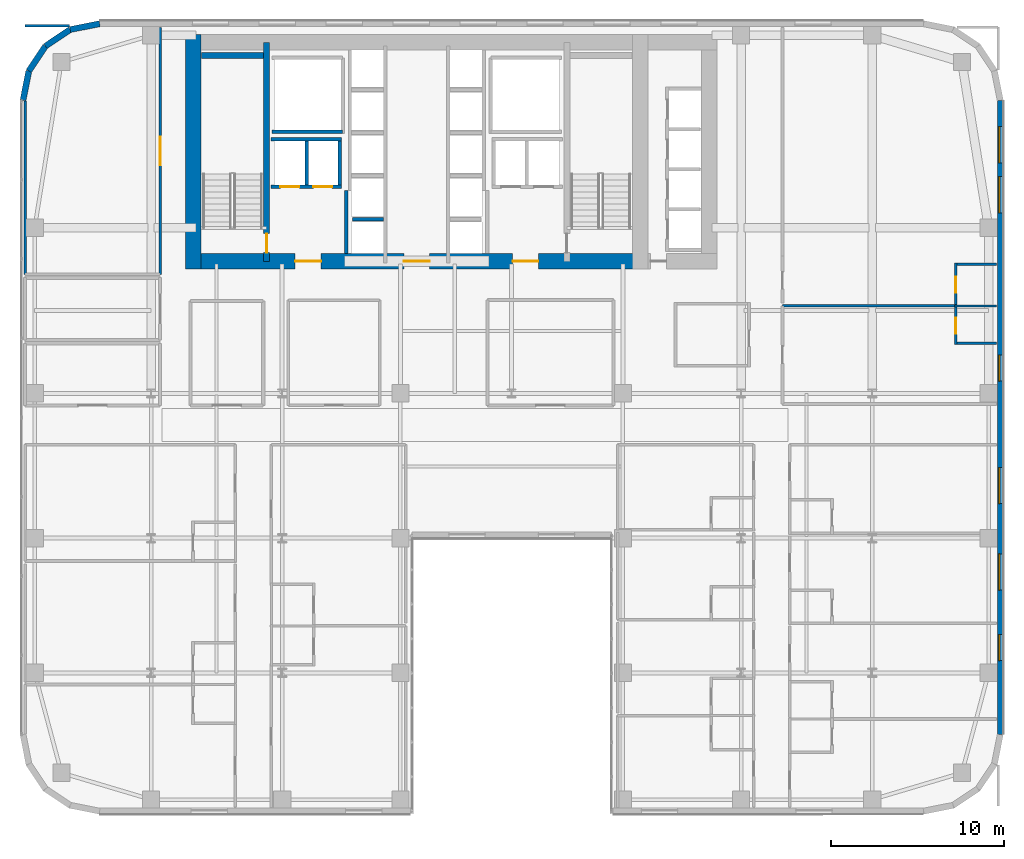
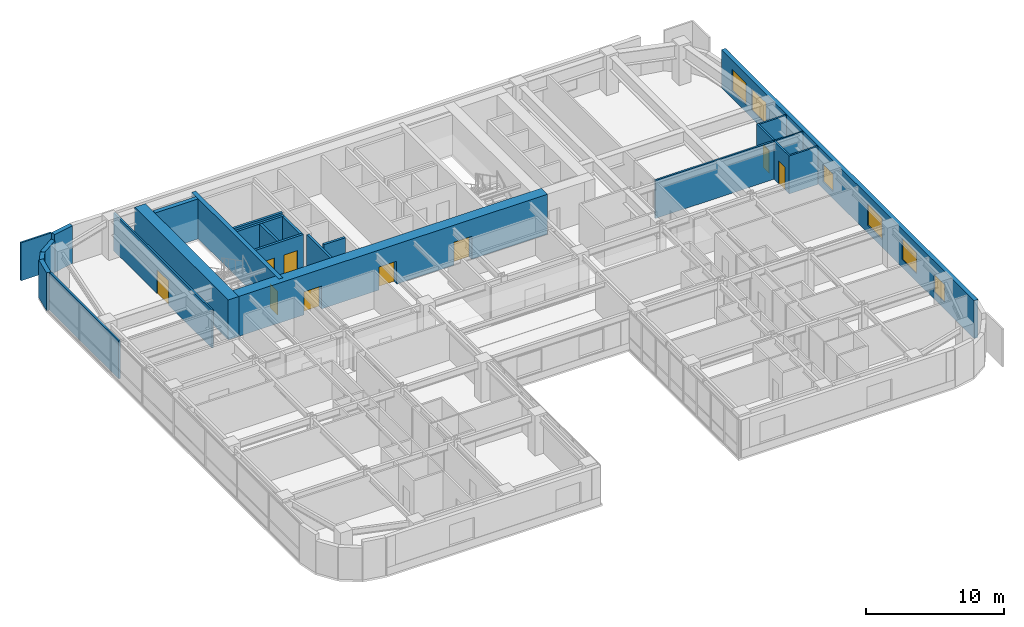
# One storey, part 30 of 37: 25 walls, 9 doors, 6 windows, 15 openings.
"""IFC4 building model written with IfcOpenShell, lengths in metres."""

import ifcopenshell
import ifcopenshell.guid

model = None  # the IFC model being written
_history = None  # IfcOwnerHistory: only IFC2X3 demands one
_inside = {}  # id of a spatial element -> (the spatial element, [elements in it])
_under = {}  # id of a project, library or spatial element -> (it, [spatial elements below it])
_declared = {}  # id of a project -> (the project, [libraries it declares])
_typed = {}  # id of a type object -> (the type object, [elements of that type])
_made_of = {}  # id of a material, layer set ... -> (it, [elements and type objects made of it])


def new_model(schema):
    """Start an empty IFC model of exactly this schema.

    Asked for "IFC4X3", IfcOpenShell would pick the latest addendum, in which some entities
    have other attributes; the version numbers below select the first issue.
    IFC2X3 requires an IfcOwnerHistory on every rooted entity: one is made here for all.
    """
    global model, _history
    if schema == "IFC4X3":
        model = ifcopenshell.file(schema_version=(4, 3, 0, 0))
    else:
        model = ifcopenshell.file(schema=schema)
    _inside.clear()
    _under.clear()
    _declared.clear()
    _typed.clear()
    _made_of.clear()
    _history = None
    if model.schema == "IFC2X3":
        org = make("IfcOrganization", Name="unknown")
        user = make(
            "IfcPersonAndOrganization",
            ThePerson=make("IfcPerson", FamilyName="unknown"),
            TheOrganization=org,
        )
        app = make(
            "IfcApplication",
            ApplicationDeveloper=org,
            Version="unknown",
            ApplicationFullName="unknown",
            ApplicationIdentifier="unknown",
        )
        _history = make(
            "IfcOwnerHistory",
            OwningUser=user,
            OwningApplication=app,
            ChangeAction="ADDED",
            CreationDate=0,
        )
    return model


def make(cls, **values):
    """One entity of the class cls with the attributes given. An attribute that is None is left unset."""
    return model.create_entity(
        cls, **{name: value for name, value in values.items() if value is not None}
    )


def rooted(cls, **values):
    """An entity with a GlobalId (a new one), such as an element, a storey or a relation."""
    return make(cls, GlobalId=ifcopenshell.guid.new(), OwnerHistory=_history, **values)


def si_unit(unit_type, name, prefix=None):
    """IfcSIUnit, for example si_unit("LENGTHUNIT", "METRE", prefix="MILLI")."""
    return make("IfcSIUnit", UnitType=unit_type, Prefix=prefix, Name=name)


def assignment(units):
    """IfcUnitAssignment: the units of a project."""
    return None if units is None else make("IfcUnitAssignment", Units=units)


def point(xyz):
    """IfcCartesianPoint."""
    return None if xyz is None else make("IfcCartesianPoint", Coordinates=xyz)


def direction(xyz):
    """IfcDirection."""
    return None if xyz is None else make("IfcDirection", DirectionRatios=xyz)


def frame(location, z_axis=None, x_axis=None):
    """IfcAxis2Placement3D, a coordinate frame: its origin and axes. An axis left out is left unset."""
    return make(
        "IfcAxis2Placement3D",
        Location=point(location),
        Axis=direction(z_axis),
        RefDirection=direction(x_axis),
    )


def frame_2d(location, x_axis=None):
    """IfcAxis2Placement2D, a coordinate frame in the plane: its origin and x axis."""
    return make(
        "IfcAxis2Placement2D", Location=point(location), RefDirection=direction(x_axis)
    )


def origin():
    """The frame at (0, 0, 0) with its axes left unset."""
    return frame((0.0, 0.0, 0.0))


def place(relative_to, where):
    """IfcLocalPlacement: puts the frame where relative to a parent placement (None: the world)."""
    return make(
        "IfcLocalPlacement", PlacementRelTo=relative_to, RelativePlacement=where
    )


def context(
    kind, dimensions, precision=None, world=None, true_north=None, identifier=None
):
    """IfcGeometricRepresentationContext, for example the 3D "Model" context."""
    return make(
        "IfcGeometricRepresentationContext",
        ContextIdentifier=identifier,
        ContextType=kind,
        CoordinateSpaceDimension=dimensions,
        Precision=precision,
        WorldCoordinateSystem=world,
        TrueNorth=true_north,
    )


def subcontext(parent, identifier, kind, view, scale=None):
    """IfcGeometricRepresentationSubContext, for example "Body" below "Model"."""
    return make(
        "IfcGeometricRepresentationSubContext",
        ContextIdentifier=identifier,
        ContextType=kind,
        ParentContext=parent,
        TargetScale=scale,
        TargetView=view,
    )


def project(units=None, contexts=None):
    """IfcProject with its units and contexts."""
    return rooted(
        "IfcProject",
        Name="project",
        RepresentationContexts=contexts,
        UnitsInContext=assignment(units),
    )


def spatial(cls, under=None, at=None, **own):
    """A site, building, storey or space (cls), placed at a placement, below another one or the project."""
    s = rooted(cls, ObjectPlacement=at, **own)
    if under is not None:
        _under.setdefault(under.id(), (under, []))[1].append(s)
    return s


def profile(cls, at=None, kind="AREA", **sizes):
    """A parametric profile (cls). Its sizes go by their IFC names, for example OverallWidth=200.0."""
    return make(cls, ProfileType=kind, Position=at, **sizes)


def rectangle(**sizes):
    """IfcRectangleProfileDef."""
    return profile("IfcRectangleProfileDef", **sizes)


def extrude(swept, where, along, depth):
    """IfcExtrudedAreaSolid: the profile swept, set in the frame where, extruded along a direction by depth."""
    return make(
        "IfcExtrudedAreaSolid",
        SweptArea=swept,
        Position=where,
        ExtrudedDirection=direction(along),
        Depth=depth,
    )


def shape(context_of_items, identifier, shape_type, items):
    """IfcShapeRepresentation: the items that make up one representation, for example the "Body"."""
    return make(
        "IfcShapeRepresentation",
        ContextOfItems=context_of_items,
        RepresentationIdentifier=identifier,
        RepresentationType=shape_type,
        Items=items,
    )


def source(mapping_origin, context_of_items, identifier, shape_type, items):
    """IfcRepresentationMap: a shape defined once, which mapped items show again and again."""
    return make(
        "IfcRepresentationMap",
        MappingOrigin=mapping_origin,
        MappedRepresentation=shape(context_of_items, identifier, shape_type, items),
    )


def transform(
    local_origin,
    x_axis=None,
    y_axis=None,
    z_axis=None,
    scale=None,
    scale2=None,
    scale3=None,
    uniform=True,
):
    """IfcCartesianTransformationOperator3D, or its non-uniform kind. x_axis, y_axis, z_axis: its Axis1, 2, 3."""
    if uniform:
        return make(
            "IfcCartesianTransformationOperator3D",
            Axis1=direction(x_axis),
            Axis2=direction(y_axis),
            LocalOrigin=point(local_origin),
            Scale=scale,
            Axis3=direction(z_axis),
        )
    return make(
        "IfcCartesianTransformationOperator3DnonUniform",
        Axis1=direction(x_axis),
        Axis2=direction(y_axis),
        LocalOrigin=point(local_origin),
        Scale=scale,
        Axis3=direction(z_axis),
        Scale2=scale2,
        Scale3=scale3,
    )


def mapped(mapping_source, mapping_target):
    """IfcMappedItem: shows the shape of a source again, moved by a transform."""
    return make(
        "IfcMappedItem", MappingSource=mapping_source, MappingTarget=mapping_target
    )


def material(Name=None, Category=None):
    """IfcMaterial."""
    return make("IfcMaterial", Name=Name, Category=Category)


def layer(
    of_material, thickness, ventilated=None, Name=None, Category=None, Priority=None
):
    """IfcMaterialLayer: one layer of a wall or slab, of a material (None: an air gap)."""
    return make(
        "IfcMaterialLayer",
        Material=of_material,
        LayerThickness=thickness,
        IsVentilated=ventilated,
        Name=Name,
        Category=Category,
        Priority=Priority,
    )


def layer_set(layers, Name=None):
    """IfcMaterialLayerSet."""
    return make("IfcMaterialLayerSet", MaterialLayers=layers, LayerSetName=Name)


def made_of(thing, what):
    """Note that an element or type object is made of a material, layer set ...; save() writes the relation."""
    if what is not None:
        _made_of.setdefault(what.id(), (what, []))[1].append(thing)
    return thing


def type_object(cls, material=None, **own):
    """A type object (cls), such as IfcWallType, which elements share."""
    return made_of(rooted(cls, **own), material)


def type_shapes(of_type, sources):
    """Give a type object the sources (RepresentationMaps) that its elements show as mapped items."""
    of_type.RepresentationMaps = sources


def element(
    cls,
    number,
    at=None,
    inside=None,
    cuts=None,
    type_object=None,
    material=None,
    context=None,
    identifier="Body",
    shape_type=None,
    held_by="IfcProductDefinitionShape",
    body=None,
    shapes=None,
    **own,
):
    """One element of the class cls, such as IfcWall. Its Tag is "e" and its number.

    at: its placement. inside: the storey or other place that contains it. cuts: it is an
    opening in that element (IfcRelVoidsElement). A single representation is given by context,
    identifier, shape_type and body (its items); several are given by shapes. held_by: the class
    of the entity that holds the representations. save() writes the other relations.
    """
    e = rooted(cls, Tag="e%d" % number, ObjectPlacement=at, **own)
    if body is not None:
        shapes = [shape(context, identifier, shape_type, body)]
    if shapes is not None:
        e.Representation = make(held_by, Representations=shapes)
    if inside is not None:
        _inside.setdefault(inside.id(), (inside, []))[1].append(e)
    if cuts is not None:
        rooted(
            "IfcRelVoidsElement", RelatingBuildingElement=cuts, RelatedOpeningElement=e
        )
    if type_object is not None:
        _typed.setdefault(type_object.id(), (type_object, []))[1].append(e)
    return made_of(e, material)


def fill(opening, filler):
    """IfcRelFillsElement: the door or window that sits in an opening."""
    return rooted(
        "IfcRelFillsElement",
        RelatingOpeningElement=opening,
        RelatedBuildingElement=filler,
    )


def aggregate(whole, parts):
    """IfcRelAggregates: a whole, such as a stair, and the parts it consists of."""
    return rooted("IfcRelAggregates", RelatingObject=whole, RelatedObjects=parts)


def save(model, path):
    """Write the relations noted so far, then the file.

    IfcRelAggregates (storeys below a building ...), IfcRelContainedInSpatialStructure (elements
    in a storey), IfcRelDefinesByType, IfcRelAssociatesMaterial and IfcRelDeclares: one each for
    every whole, place, type object, material and project.
    """
    for whole, parts in _under.values():
        aggregate(whole, parts)
    for where, things in _inside.values():
        rooted(
            "IfcRelContainedInSpatialStructure",
            RelatedElements=things,
            RelatingStructure=where,
        )
    for kind, things in _typed.values():
        rooted("IfcRelDefinesByType", RelatedObjects=things, RelatingType=kind)
    for what, things in _made_of.values():
        rooted("IfcRelAssociatesMaterial", RelatedObjects=things, RelatingMaterial=what)
    for by, libraries in _declared.values():
        rooted("IfcRelDeclares", RelatingContext=by, RelatedDefinitions=libraries)
    model.write(path)


model = new_model("IFC4")

# Units and contexts
model_context = context("Model", 3, precision=1e-05, world=origin(), true_north=direction((0.0, 1.0)))
body_context = subcontext(model_context, "Body", "Model", "MODEL_VIEW")
ifc_project = project(units=[si_unit("LENGTHUNIT", "METRE"), si_unit("AREAUNIT", "SQUARE_METRE"), si_unit("VOLUMEUNIT", "CUBIC_METRE"), si_unit("PLANEANGLEUNIT", "RADIAN"), si_unit("MASSUNIT", "GRAM", prefix="KILO")], contexts=[model_context])

# Site, building, storey
site_placement = place(None, origin())
site = spatial("IfcSite", under=ifc_project, at=site_placement, CompositionType="ELEMENT")
building_placement = place(site_placement, origin())
building = spatial("IfcBuilding", under=site, at=building_placement, Name="Tolvann Quenvar Hotel", CompositionType="ELEMENT")
storey_placement = place(building_placement, frame((0.0, 0.0, 53.300048828125)))
storey = spatial("IfcBuildingStorey", under=building, at=storey_placement, Name="L12", CompositionType="ELEMENT", Elevation=53.300048828125)

# Wall, openings, doors
ifc_material_1 = material(Name="Concrete S80 (80 MPa)", Category="concrete")
ifc_layer_1 = layer(ifc_material_1, 0.89990234375)
ifc_layer_set_1 = layer_set([ifc_layer_1], Name="Concrete S80 (80 MPa)")
wall_type_1 = type_object("IfcWallType", Name="WALL_CORE_900", PredefinedType="SHEAR", material=ifc_layer_set_1)
wall_1_placement = place(storey_placement, frame((9.60009765625, 32.050048828125, 0.0), z_axis=(0.0, 0.0, 1.0), x_axis=(1.0, 0.0, 0.0)))
wall_1 = element("IfcWall", 1, at=wall_1_placement, inside=storey, type_object=wall_type_1, Name="Rear Core S Shear Wall (L12)", PredefinedType="SHEAR", context=body_context, shape_type="SweptSolid", body=[
    extrude(rectangle(XDim=26.7998046875, YDim=0.89990234375, at=frame_2d((13.39990234375, 0.0))), origin(), (0.0, 0.0, 1.0), 3.550048828125),
])
opening_1_placement = place(wall_1_placement, frame((7.85009765625, 0.0, 0.0), z_axis=(0.0, 0.0, 1.0), x_axis=(-1.0, 0.0, 0.0)))
opening_1 = element("IfcOpeningElement", 2, at=opening_1_placement, cuts=wall_1, Name="Opening FD-60D", PredefinedType="OPENING", context=body_context, shape_type="SweptSolid", body=[
    extrude(rectangle(XDim=1.5, YDim=2.0400390625, at=frame_2d((0.75, 1.02001953125))), frame((0.0, 0.4599609375, 0.0), z_axis=(0.0, -1.0, 0.0), x_axis=(1.0, 0.0, 0.0)), (0.0, 0.0, 1.0), 0.919921875),
])
opening_2_placement = place(wall_1_placement, frame((14.14990234375, 0.0, 0.0), z_axis=(0.0, 0.0, 1.0), x_axis=(-1.0, 0.0, 0.0)))
opening_2 = element("IfcOpeningElement", 3, at=opening_2_placement, cuts=wall_1, Name="Opening FD-60D", PredefinedType="OPENING", context=body_context, shape_type="SweptSolid", body=[
    extrude(rectangle(XDim=1.5, YDim=2.0400390625, at=frame_2d((0.75, 1.02001953125))), frame((0.0, 0.4599609375, 0.0), z_axis=(0.0, -1.0, 0.0), x_axis=(1.0, 0.0, 0.0)), (0.0, 0.0, 1.0), 0.919921875),
])
opening_3_placement = place(wall_1_placement, frame((20.449951171875, 0.0, 0.0), z_axis=(0.0, 0.0, 1.0), x_axis=(-1.0, 0.0, 0.0)))
opening_3 = element("IfcOpeningElement", 4, at=opening_3_placement, cuts=wall_1, Name="Opening FD-60D", PredefinedType="OPENING", context=body_context, shape_type="SweptSolid", body=[
    extrude(rectangle(XDim=1.5, YDim=2.0400390625, at=frame_2d((0.75, 1.02001953125))), frame((0.0, 0.4599609375, 0.0), z_axis=(0.0, -1.0, 0.0), x_axis=(1.0, 0.0, 0.0)), (0.0, 0.0, 1.0), 0.919921875),
])
ifc_material_2 = material(Name="Solid-core American oak acoustic fire door leaf in steel frame", Category="steel")
door_type_1 = type_object("IfcDoorType", Name="DOOR_FIRE_LOBBY_1500", OperationType="NOTDEFINED", PredefinedType="DOOR", material=ifc_material_2)
shared_shape_1 = source(origin(), body_context, "Body", "SweptSolid", [
    extrude(rectangle(XDim=1.5, YDim=2.0400390625, at=frame_2d((0.75, 1.02001953125))), frame((0.0, 0.02490234375, 0.0), z_axis=(0.0, -1.0, 0.0), x_axis=(1.0, 0.0, 0.0)), (0.0, 0.0, 1.0), 0.050048828125),
])
type_shapes(door_type_1, [shared_shape_1])
door_1_placement = place(opening_1_placement, origin())
door_1 = element("IfcDoor", 5, at=door_1_placement, inside=storey, type_object=door_type_1, Name="Core Lobby Fire Door FFW (L12)", OperationType="DOUBLE_DOOR_SINGLE_SWING", OverallHeight=2.0400390625, OverallWidth=1.5, PredefinedType="DOOR", context=body_context, shape_type="MappedRepresentation", body=[
    mapped(shared_shape_1, transform((0.0, 0.0, 0.0), x_axis=(1.0, 0.0, 0.0), y_axis=(0.0, 1.0, 0.0), z_axis=(0.0, 0.0, 1.0), scale=1.0)),
])
fill(opening_1, door_1)
door_2_placement = place(opening_2_placement, origin())
door_2 = element("IfcDoor", 6, at=door_2_placement, inside=storey, type_object=door_type_1, Name="Core Lobby Fire Door CLOB (L12)", OperationType="DOUBLE_DOOR_SINGLE_SWING", OverallHeight=2.0400390625, OverallWidth=1.5, PredefinedType="DOOR", context=body_context, shape_type="MappedRepresentation", body=[
    mapped(shared_shape_1, transform((0.0, 0.0, 0.0), x_axis=(1.0, 0.0, 0.0), y_axis=(0.0, 1.0, 0.0), z_axis=(0.0, 0.0, 1.0), scale=1.0)),
])
fill(opening_2, door_2)
door_3_placement = place(opening_3_placement, origin())
door_3 = element("IfcDoor", 7, at=door_3_placement, inside=storey, type_object=door_type_1, Name="Core Lobby Fire Door FFE (L12)", OperationType="DOUBLE_DOOR_SINGLE_SWING", OverallHeight=2.0400390625, OverallWidth=1.5, PredefinedType="DOOR", context=body_context, shape_type="MappedRepresentation", body=[
    mapped(shared_shape_1, transform((0.0, 0.0, 0.0), x_axis=(1.0, 0.0, 0.0), y_axis=(0.0, 1.0, 0.0), z_axis=(0.0, 0.0, 1.0), scale=1.0)),
])
fill(opening_3, door_3)

# Wall
wall_2_placement = place(storey_placement, frame((10.050048828125, 31.60009765625, 0.0), z_axis=(0.0, 0.0, 1.0), x_axis=(0.0, 1.0, 0.0)))
element("IfcWall", 8, at=wall_2_placement, inside=storey, type_object=wall_type_1, Name="Rear Core W Shear Wall (L12)", PredefinedType="SHEAR", context=body_context, shape_type="SweptSolid", body=[
    extrude(rectangle(XDim=13.599853515625, YDim=0.89990234375, at=frame_2d((6.7998046875, 0.0))), origin(), (0.0, 0.0, 1.0), 3.550048828125),
])

# Wall, opening, door
ifc_material_3 = material(Name="Concrete S65 (65 MPa)", Category="concrete")
ifc_layer_2 = layer(ifc_material_3, 0.35009765625)
ifc_layer_set_2 = layer_set([ifc_layer_2], Name="Concrete S65 (65 MPa)")
wall_type_2 = type_object("IfcWallType", Name="WALL_CORE_INT_350", PredefinedType="SHEAR", material=ifc_layer_set_2)
wall_3_placement = place(storey_placement, frame((14.300048828125, 32.050048828125, 0.0), z_axis=(0.0, 0.0, 1.0), x_axis=(0.0, 1.0, 0.0)))
wall_3 = element("IfcWall", 9, at=wall_3_placement, inside=storey, type_object=wall_type_2, Name="Core Internal Web Shear Wall WEB-W (L12)", PredefinedType="SHEAR", context=body_context, shape_type="SweptSolid", body=[
    extrude(rectangle(XDim=12.699951171875, YDim=0.35009765625, at=frame_2d((6.35009765625, 0.0))), origin(), (0.0, 0.0, 1.0), 3.550048828125),
])
opening_4_placement = place(wall_3_placement, frame((0.5, 0.0, 0.0)))
opening_4 = element("IfcOpeningElement", 10, at=opening_4_placement, cuts=wall_3, Name="Opening FD-120", PredefinedType="OPENING", context=body_context, shape_type="SweptSolid", body=[
    extrude(rectangle(XDim=1.10009765625, YDim=2.1201171875, at=frame_2d((0.550048828125, 1.06005859375))), frame((0.0, 0.18505859375, 0.0), z_axis=(0.0, -1.0, 0.0), x_axis=(1.0, 0.0, 0.0)), (0.0, 0.0, 1.0), 0.3701171875),
])
ifc_material_4 = material(Name="Pressed galvanised steel fire-rated door set", Category="steel")
door_type_2 = type_object("IfcDoorType", Name="DOOR_FIRE_STAIR_1100", OperationType="NOTDEFINED", PredefinedType="DOOR", material=ifc_material_4)
shared_shape_2 = source(origin(), body_context, "Body", "SweptSolid", [
    extrude(rectangle(XDim=1.10009765625, YDim=2.1201171875, at=frame_2d((0.550048828125, 1.06005859375))), frame((0.0, 0.02490234375, 0.0), z_axis=(0.0, -1.0, 0.0), x_axis=(1.0, 0.0, 0.0)), (0.0, 0.0, 1.0), 0.050048828125),
])
type_shapes(door_type_2, [shared_shape_2])
door_4_placement = place(opening_4_placement, origin())
door_4 = element("IfcDoor", 11, at=door_4_placement, inside=storey, type_object=door_type_2, Name="Exit Stair ST-C1 Fire Door (L12)", OperationType="SINGLE_SWING_LEFT", OverallHeight=2.1201171875, OverallWidth=1.10009765625, PredefinedType="DOOR", context=body_context, shape_type="MappedRepresentation", body=[
    mapped(shared_shape_2, transform((0.0, 0.0, 0.0), x_axis=(1.0, 0.0, 0.0), y_axis=(0.0, 1.0, 0.0), z_axis=(0.0, 0.0, 1.0), scale=1.0)),
])
fill(opening_4, door_4)

# Wall
wall_4_placement = place(storey_placement, frame((10.52001953125, 43.97509765625, 0.0), z_axis=(0.0, 0.0, 1.0), x_axis=(1.0, 0.0, 0.0)))
element("IfcWall", 12, at=wall_4_placement, inside=storey, type_object=wall_type_2, Name="Core Stair North Closing Shear Wall STC1-N (L12)", PredefinedType="SHEAR", context=body_context, shape_type="SweptSolid", body=[
    extrude(rectangle(XDim=3.60009765625, YDim=0.35009765625, at=frame_2d((1.800048828125, 0.0))), origin(), (0.0, 0.0, 1.0), 3.550048828125),
])

# Wall, openings, windows
ifc_material_5 = material(Name="Kiln-fired red and buff architectural clay brickwork and terracotta masonry", Category="masonry")
ifc_layer_3 = layer(ifc_material_5, 0.35009765625)
ifc_layer_set_3 = layer_set([ifc_layer_3], Name="Kiln-fired red and buff architectural clay brickwork and terracotta masonry")
wall_type_3 = type_object("IfcWallType", Name="WALL_EXT_BRICK_350", PredefinedType="SOLIDWALL", material=ifc_layer_set_3)
wall_5_placement = place(storey_placement, frame((56.824951171875, 4.6171875, 0.0), z_axis=(0.0, 0.0, 1.0), x_axis=(0.0, 1.0, 0.0)))
wall_5 = element("IfcWall", 13, at=wall_5_placement, inside=storey, type_object=wall_type_3, Name="Exterior Chicago Brick Wall L12-E13", PredefinedType="SOLIDWALL", context=body_context, shape_type="SweptSolid", body=[
    extrude(rectangle(XDim=36.765625, YDim=0.35009765625, at=frame_2d((18.3828125, 0.0))), origin(), (0.0, 0.0, 1.0), 3.369873046875),
])
opening_5_placement = place(wall_5_placement, frame((8.37890625, 0.0, 0.679931640625)))
opening_5 = element("IfcOpeningElement", 14, at=opening_5_placement, cuts=wall_5, Name="Opening W-02", PredefinedType="OPENING", context=body_context, shape_type="SweptSolid", body=[
    extrude(rectangle(XDim=2.10009765625, YDim=1.89990234375, at=frame_2d((1.050048828125, 0.949951171875))), frame((0.0, 0.18505859375, 0.0), z_axis=(0.0, -1.0, 0.0), x_axis=(1.0, 0.0, 0.0)), (0.0, 0.0, 1.0), 0.3701171875),
])
opening_6_placement = place(wall_5_placement, frame((13.381103515625, 0.0, 0.679931640625)))
opening_6 = element("IfcOpeningElement", 15, at=opening_6_placement, cuts=wall_5, Name="Opening W-02", PredefinedType="OPENING", context=body_context, shape_type="SweptSolid", body=[
    extrude(rectangle(XDim=2.10009765625, YDim=1.89990234375, at=frame_2d((1.050048828125, 0.949951171875))), frame((0.0, 0.18505859375, 0.0), z_axis=(0.0, -1.0, 0.0), x_axis=(1.0, 0.0, 0.0)), (0.0, 0.0, 1.0), 0.3701171875),
])
opening_7_placement = place(wall_5_placement, frame((30.238037109375, 0.0, 0.679931640625)))
opening_7 = element("IfcOpeningElement", 16, at=opening_7_placement, cuts=wall_5, Name="Opening W-02", PredefinedType="OPENING", context=body_context, shape_type="SweptSolid", body=[
    extrude(rectangle(XDim=2.10009765625, YDim=1.89990234375, at=frame_2d((1.050048828125, 0.949951171875))), frame((0.0, 0.18505859375, 0.0), z_axis=(0.0, -1.0, 0.0), x_axis=(1.0, 0.0, 0.0)), (0.0, 0.0, 1.0), 0.3701171875),
])
opening_8_placement = place(wall_5_placement, frame((33.139892578125, 0.0, 0.679931640625)))
opening_8 = element("IfcOpeningElement", 17, at=opening_8_placement, cuts=wall_5, Name="Opening W-02", PredefinedType="OPENING", context=body_context, shape_type="SweptSolid", body=[
    extrude(rectangle(XDim=2.10009765625, YDim=1.89990234375, at=frame_2d((1.050048828125, 0.949951171875))), frame((0.0, 0.18505859375, 0.0), z_axis=(0.0, -1.0, 0.0), x_axis=(1.0, 0.0, 0.0)), (0.0, 0.0, 1.0), 0.3701171875),
])
opening_9_placement = place(wall_5_placement, frame((4.29296875, 0.0, 0.6201171875)))
opening_9 = element("IfcOpeningElement", 18, at=opening_9_placement, cuts=wall_5, Name="Opening W-08", PredefinedType="OPENING", context=body_context, shape_type="SweptSolid", body=[
    extrude(rectangle(XDim=1.5, YDim=1.550048828125, at=frame_2d((0.75, 0.77490234375))), frame((0.0, 0.18505859375, 0.0), z_axis=(0.0, -1.0, 0.0), x_axis=(1.0, 0.0, 0.0)), (0.0, 0.0, 1.0), 0.3701171875),
])
opening_10_placement = place(wall_5_placement, frame((20.492919921875, 0.0, 0.6201171875)))
opening_10 = element("IfcOpeningElement", 19, at=opening_10_placement, cuts=wall_5, Name="Opening W-08", PredefinedType="OPENING", context=body_context, shape_type="SweptSolid", body=[
    extrude(rectangle(XDim=1.5, YDim=1.550048828125, at=frame_2d((0.75, 0.77490234375))), frame((0.0, 0.18505859375, 0.0), z_axis=(0.0, -1.0, 0.0), x_axis=(1.0, 0.0, 0.0)), (0.0, 0.0, 1.0), 0.3701171875),
])
ifc_material_6 = material(Name="Thermally broken bronze-anodised aluminium frame with double low-E glazing", Category="aluminium")
window_type_1 = type_object("IfcWindowType", Name="WIN_COR_1500x2050", PartitioningType="SINGLE_PANEL", PredefinedType="WINDOW", material=ifc_material_6)
shared_shape_3 = source(origin(), body_context, "Body", "SweptSolid", [
    extrude(rectangle(XDim=1.5, YDim=1.550048828125, at=frame_2d((0.75, 0.77490234375))), frame((0.0, 0.090087890625, 0.0), z_axis=(0.0, -1.0, 0.0), x_axis=(1.0, 0.0, 0.0)), (0.0, 0.0, 1.0), 0.06005859375),
])
type_shapes(window_type_1, [shared_shape_3])
window_1_placement = place(opening_9_placement, origin())
window_1 = element("IfcWindow", 20, at=window_1_placement, inside=storey, type_object=window_type_1, Name="Chicago Window W-08 (EW-L12-E13-WD05)", OverallHeight=1.550048828125, OverallWidth=1.5, PartitioningType="SINGLE_PANEL", PredefinedType="WINDOW", context=body_context, shape_type="MappedRepresentation", body=[
    mapped(shared_shape_3, transform((0.0, 0.0, 0.0), x_axis=(1.0, 0.0, 0.0), y_axis=(0.0, 1.0, 0.0), z_axis=(0.0, 0.0, 1.0), scale=1.0)),
])
fill(opening_9, window_1)
window_2_placement = place(opening_10_placement, origin())
window_2 = element("IfcWindow", 21, at=window_2_placement, inside=storey, type_object=window_type_1, Name="Chicago Window W-08 (EW-L12-E13-WD06)", OverallHeight=1.550048828125, OverallWidth=1.5, PartitioningType="SINGLE_PANEL", PredefinedType="WINDOW", context=body_context, shape_type="MappedRepresentation", body=[
    mapped(shared_shape_3, transform((0.0, 0.0, 0.0), x_axis=(1.0, 0.0, 0.0), y_axis=(0.0, 1.0, 0.0), z_axis=(0.0, 0.0, 1.0), scale=1.0)),
])
fill(opening_10, window_2)
window_type_2 = type_object("IfcWindowType", Name="WIN_CHI_2100x2050", PartitioningType="TRIPLE_PANEL_HORIZONTAL", PredefinedType="WINDOW", material=ifc_material_6)
shared_shape_4 = source(origin(), body_context, "Body", "SweptSolid", [
    extrude(rectangle(XDim=2.10009765625, YDim=1.89990234375, at=frame_2d((1.050048828125, 0.949951171875))), frame((0.0, 0.090087890625, 0.0), z_axis=(0.0, -1.0, 0.0), x_axis=(1.0, 0.0, 0.0)), (0.0, 0.0, 1.0), 0.06005859375),
])
type_shapes(window_type_2, [shared_shape_4])
window_3_placement = place(opening_5_placement, origin())
window_3 = element("IfcWindow", 22, at=window_3_placement, inside=storey, type_object=window_type_2, Name="Chicago Window W-02 (EW-L12-E13-W01)", OverallHeight=1.89990234375, OverallWidth=2.10009765625, PartitioningType="TRIPLE_PANEL_HORIZONTAL", PredefinedType="WINDOW", context=body_context, shape_type="MappedRepresentation", body=[
    mapped(shared_shape_4, transform((0.0, 0.0, 0.0), x_axis=(1.0, 0.0, 0.0), y_axis=(0.0, 1.0, 0.0), z_axis=(0.0, 0.0, 1.0), scale=1.0)),
])
fill(opening_5, window_3)
window_4_placement = place(opening_6_placement, origin())
window_4 = element("IfcWindow", 23, at=window_4_placement, inside=storey, type_object=window_type_2, Name="Chicago Window W-02 (EW-L12-E13-W02)", OverallHeight=1.89990234375, OverallWidth=2.10009765625, PartitioningType="TRIPLE_PANEL_HORIZONTAL", PredefinedType="WINDOW", context=body_context, shape_type="MappedRepresentation", body=[
    mapped(shared_shape_4, transform((0.0, 0.0, 0.0), x_axis=(1.0, 0.0, 0.0), y_axis=(0.0, 1.0, 0.0), z_axis=(0.0, 0.0, 1.0), scale=1.0)),
])
fill(opening_6, window_4)
window_5_placement = place(opening_7_placement, origin())
window_5 = element("IfcWindow", 24, at=window_5_placement, inside=storey, type_object=window_type_2, Name="Chicago Window W-02 (EW-L12-E13-W03)", OverallHeight=1.89990234375, OverallWidth=2.10009765625, PartitioningType="TRIPLE_PANEL_HORIZONTAL", PredefinedType="WINDOW", context=body_context, shape_type="MappedRepresentation", body=[
    mapped(shared_shape_4, transform((0.0, 0.0, 0.0), x_axis=(1.0, 0.0, 0.0), y_axis=(0.0, 1.0, 0.0), z_axis=(0.0, 0.0, 1.0), scale=1.0)),
])
fill(opening_7, window_5)
window_6_placement = place(opening_8_placement, origin())
window_6 = element("IfcWindow", 25, at=window_6_placement, inside=storey, type_object=window_type_2, Name="Chicago Window W-02 (EW-L12-E13-W04)", OverallHeight=1.89990234375, OverallWidth=2.10009765625, PartitioningType="TRIPLE_PANEL_HORIZONTAL", PredefinedType="WINDOW", context=body_context, shape_type="MappedRepresentation", body=[
    mapped(shared_shape_4, transform((0.0, 0.0, 0.0), x_axis=(1.0, 0.0, 0.0), y_axis=(0.0, 1.0, 0.0), z_axis=(0.0, 0.0, 1.0), scale=1.0)),
])
fill(opening_8, window_6)

# Walls
wall_6_placement = place(storey_placement, frame((4.6171875, 45.824951171875, 0.0), z_axis=(0.0, 0.0, 1.0), x_axis=(-0.980800971659, -0.195011420161, 0.0)))
element("IfcWall", 26, at=wall_6_placement, inside=storey, type_object=wall_type_3, Name="Exterior Chicago Brick Wall L12-E19", PredefinedType="SOLIDWALL", context=body_context, shape_type="SweptSolid", body=[
    extrude(rectangle(XDim=1.74267578125, YDim=0.35009765625, at=frame_2d((0.871337890625, 0.0))), origin(), (0.0, 0.0, 1.0), 3.369873046875),
])
for number, where, z_axis, x_axis, name in (
    (27, (2.907958984375, 45.485107421875, 0.0), (0.0, 0.0, 1.0), (-0.831483840845, -0.55554893791, 0.0), "Exterior Chicago Brick Wall L12-E20"),
    (28, (1.473388671875, 44.526611328125, 0.0), (0.0, 0.0, 1.0), (-0.55554893791, -0.831483840845, 0.0), "Exterior Chicago Brick Wall L12-E21"),
):
    element("IfcWall", number, at=place(storey_placement, frame(where, z_axis=z_axis, x_axis=x_axis)), inside=storey, type_object=wall_type_3, Name=name, PredefinedType="SOLIDWALL", context=body_context, shape_type="SweptSolid", body=[
        extrude(rectangle(XDim=1.725341796875, YDim=0.35009765625, at=frame_2d((0.86279296875, 0.0))), origin(), (0.0, 0.0, 1.0), 2.83203125),
    ])
wall_7_placement = place(storey_placement, frame((0.514892578125, 43.092041015625, 0.0), z_axis=(0.0, 0.0, 1.0), x_axis=(-0.195011420161, -0.980800971659, 0.0)))
element("IfcWall", 29, at=wall_7_placement, inside=storey, type_object=wall_type_3, Name="Exterior Chicago Brick Wall L12-E22", PredefinedType="SOLIDWALL", context=body_context, shape_type="SweptSolid", body=[
    extrude(rectangle(XDim=1.74267578125, YDim=0.35009765625, at=frame_2d((0.871337890625, 0.0))), origin(), (0.0, 0.0, 1.0), 3.369873046875),
])
ifc_material_7 = material(Name="Moisture-resistant acoustic plumbing wall assembly")
ifc_layer_4 = layer(ifc_material_7, 0.1201171875)
ifc_layer_set_4 = layer_set([ifc_layer_4], Name="Moisture-resistant acoustic plumbing wall assembly")
wall_type_4 = type_object("IfcWallType", Name="WALL_PART_BATH_120", PredefinedType="PLUMBINGWALL", material=ifc_layer_set_4)
wall_8_placement = place(storey_placement, frame((54.179931640625, 29.469970703125, 0.0), z_axis=(0.0, 0.0, 1.0), x_axis=(1.0, 0.0, 0.0)))
element("IfcWall", 30, at=wall_8_placement, inside=storey, type_object=wall_type_4, Name="Non-Rated Plumbing Partition PT-SPC-L12-ENS-NE01-N", PredefinedType="PLUMBINGWALL", context=body_context, shape_type="SweptSolid", body=[
    extrude(rectangle(XDim=2.4150390625, YDim=0.1201171875, at=frame_2d((1.20751953125, 0.0))), origin(), (0.0, 0.0, 1.0), 3.369873046875),
])

# Wall, opening, door
ifc_material_8 = material(Name="Acoustic twin-stud fire-rated gypsum plasterboard partition")
ifc_layer_5 = layer(ifc_material_8, 0.14990234375)
ifc_layer_set_5 = layer_set([ifc_layer_5], Name="Acoustic twin-stud fire-rated gypsum plasterboard partition")
wall_type_5 = type_object("IfcWallType", Name="WALL_PART_SUITE_150", PredefinedType="PARTITIONING", material=ifc_layer_set_5)
wall_9_placement = place(storey_placement, frame((54.25, 27.238037109375, 0.0), z_axis=(0.0, 0.0, 1.0), x_axis=(0.0, 1.0, 0.0)))
wall_9 = element("IfcWall", 31, at=wall_9_placement, inside=storey, type_object=wall_type_5, Name="Interior Partition PT-SPC-L12-ENS-NE01-ENT", PredefinedType="PARTITIONING", context=body_context, shape_type="SweptSolid", body=[
    extrude(rectangle(XDim=2.302001953125, YDim=0.14990234375, at=frame_2d((1.15087890625, 0.0))), origin(), (0.0, 0.0, 1.0), 3.369873046875),
])
opening_11_placement = place(wall_9_placement, frame((0.62109375, 0.0, 0.0)))
opening_11 = element("IfcOpeningElement", 32, at=opening_11_placement, cuts=wall_9, Name="Opening WD-01", PredefinedType="OPENING", context=body_context, shape_type="SweptSolid", body=[
    extrude(rectangle(XDim=0.919921875, YDim=2.010009765625, at=frame_2d((0.4599609375, 1.0048828125))), frame((0.0, 0.0849609375, 0.0), z_axis=(0.0, -1.0, 0.0), x_axis=(1.0, 0.0, 0.0)), (0.0, 0.0, 1.0), 0.169921875),
])
door_type_3 = type_object("IfcDoorType", Name="DOOR_WC_920", OperationType="NOTDEFINED", PredefinedType="DOOR", material=ifc_material_2)
shared_shape_5 = source(origin(), body_context, "Body", "SweptSolid", [
    extrude(rectangle(XDim=0.919921875, YDim=2.010009765625, at=frame_2d((0.4599609375, 1.0048828125))), frame((0.0, 0.02490234375, 0.0), z_axis=(0.0, -1.0, 0.0), x_axis=(1.0, 0.0, 0.0)), (0.0, 0.0, 1.0), 0.050048828125),
])
type_shapes(door_type_3, [shared_shape_5])
door_5_placement = place(opening_11_placement, origin())
door_5 = element("IfcDoor", 33, at=door_5_placement, inside=storey, type_object=door_type_3, Name="Interior Door DOOR-SPC-L12-ENS-NE01", OperationType="SINGLE_SWING_LEFT", OverallHeight=2.010009765625, OverallWidth=0.919921875, PredefinedType="DOOR", context=body_context, shape_type="MappedRepresentation", body=[
    mapped(shared_shape_5, transform((0.0, 0.0, 0.0), x_axis=(1.0, 0.0, 0.0), y_axis=(0.0, 1.0, 0.0), z_axis=(0.0, 0.0, 1.0), scale=1.0)),
])
fill(opening_11, door_5)

# Wall
wall_10_placement = place(storey_placement, frame((54.179931640625, 27.30810546875, 0.0), z_axis=(0.0, 0.0, 1.0), x_axis=(1.0, 0.0, 0.0)))
element("IfcWall", 34, at=wall_10_placement, inside=storey, type_object=wall_type_5, Name="Interior Partition PT-SPC-L12-ENS-NE01-S", PredefinedType="PARTITIONING", context=body_context, shape_type="SweptSolid", body=[
    extrude(rectangle(XDim=2.4150390625, YDim=0.14990234375, at=frame_2d((1.20751953125, 0.0))), origin(), (0.0, 0.0, 1.0), 3.369873046875),
])

# Wall, opening, door
wall_11_placement = place(storey_placement, frame((54.25, 29.56005859375, 0.0), z_axis=(0.0, 0.0, 1.0), x_axis=(0.0, 1.0, 0.0)))
wall_11 = element("IfcWall", 35, at=wall_11_placement, inside=storey, type_object=wall_type_5, Name="Interior Partition PT-SPC-L12-ENS-NE02-ENT", PredefinedType="PARTITIONING", context=body_context, shape_type="SweptSolid", body=[
    extrude(rectangle(XDim=2.389892578125, YDim=0.14990234375, at=frame_2d((1.19482421875, 0.0))), origin(), (0.0, 0.0, 1.0), 3.369873046875),
])
opening_12_placement = place(wall_11_placement, frame((0.6650390625, 0.0, 0.0)))
opening_12 = element("IfcOpeningElement", 36, at=opening_12_placement, cuts=wall_11, Name="Opening WD-01", PredefinedType="OPENING", context=body_context, shape_type="SweptSolid", body=[
    extrude(rectangle(XDim=0.919921875, YDim=2.010009765625, at=frame_2d((0.4599609375, 1.0048828125))), frame((0.0, 0.0849609375, 0.0), z_axis=(0.0, -1.0, 0.0), x_axis=(1.0, 0.0, 0.0)), (0.0, 0.0, 1.0), 0.169921875),
])
door_6_placement = place(opening_12_placement, origin())
door_6 = element("IfcDoor", 37, at=door_6_placement, inside=storey, type_object=door_type_3, Name="Interior Door DOOR-SPC-L12-ENS-NE02", OperationType="SINGLE_SWING_RIGHT", OverallHeight=2.010009765625, OverallWidth=0.919921875, PredefinedType="DOOR", context=body_context, shape_type="MappedRepresentation", body=[
    mapped(shared_shape_5, transform((0.0, 0.0, 0.0), x_axis=(1.0, 0.0, 0.0), y_axis=(0.0, 1.0, 0.0), z_axis=(0.0, 0.0, 1.0), scale=1.0)),
])
fill(opening_12, door_6)

# Walls
wall_12_placement = place(storey_placement, frame((54.179931640625, 31.8798828125, 0.0), z_axis=(0.0, 0.0, 1.0), x_axis=(1.0, 0.0, 0.0)))
element("IfcWall", 38, at=wall_12_placement, inside=storey, type_object=wall_type_5, Name="Interior Partition PT-SPC-L12-ENS-NE02-N", PredefinedType="PARTITIONING", context=body_context, shape_type="SweptSolid", body=[
    extrude(rectangle(XDim=2.4150390625, YDim=0.14990234375, at=frame_2d((1.20751953125, 0.0))), origin(), (0.0, 0.0, 1.0), 3.369873046875),
])
wall_13_placement = place(storey_placement, frame((0.300048828125, 45.699951171875, 0.0), z_axis=(0.0, 0.0, 1.0), x_axis=(1.0, 0.0, 0.0)))
element("IfcWall", 39, at=wall_13_placement, inside=storey, type_object=wall_type_5, Name="Interior Partition PT-SPC-L12-TEA-N", PredefinedType="PARTITIONING", context=body_context, shape_type="SweptSolid", body=[
    extrude(rectangle(XDim=2.56494140625, YDim=0.14990234375, at=frame_2d((1.282470703125, 0.0))), origin(), (0.0, 0.0, 1.0), 3.369873046875),
])
wall_14_placement = place(storey_placement, frame((0.300048828125, 31.300048828125, 0.0), z_axis=(0.0, 0.0, 1.0), x_axis=(0.0, 1.0, 0.0)))
element("IfcWall", 40, at=wall_14_placement, inside=storey, type_object=wall_type_5, Name="Interior Partition PT-SPC-L12-TEA-W", PredefinedType="PARTITIONING", context=body_context, shape_type="SweptSolid", body=[
    extrude(rectangle(XDim=10.057861328125, YDim=0.14990234375, at=frame_2d((5.02880859375, 0.0))), origin(), (0.0, 0.0, 1.0), 3.369873046875),
])

# Wall, opening, door
wall_15_placement = place(storey_placement, frame((8.1201171875, 31.300048828125, 0.0), z_axis=(0.0, 0.0, 1.0), x_axis=(0.0, 1.0, 0.0)))
wall_15 = element("IfcWall", 41, at=wall_15_placement, inside=storey, type_object=wall_type_5, Name="Interior Partition PT-SPC-L12-TEA-E", PredefinedType="PARTITIONING", context=body_context, shape_type="SweptSolid", body=[
    extrude(rectangle(XDim=14.294921875, YDim=0.14990234375, at=frame_2d((7.1474609375, 0.0))), origin(), (0.0, 0.0, 1.0), 3.369873046875),
])
opening_13_placement = place(wall_15_placement, frame((6.322509765625, 0.0, 0.0)))
opening_13 = element("IfcOpeningElement", 42, at=opening_13_placement, cuts=wall_15, Name="Opening AD-01", PredefinedType="OPENING", context=body_context, shape_type="SweptSolid", body=[
    extrude(rectangle(XDim=1.64990234375, YDim=2.14990234375, at=frame_2d((0.824951171875, 1.074951171875))), frame((0.0, 0.0849609375, 0.0), z_axis=(0.0, -1.0, 0.0), x_axis=(1.0, 0.0, 0.0)), (0.0, 0.0, 1.0), 0.169921875),
])
door_type_4 = type_object("IfcDoorType", Name="DOOR_SALON_1650", OperationType="NOTDEFINED", PredefinedType="DOOR", material=ifc_material_2)
shared_shape_6 = source(origin(), body_context, "Body", "SweptSolid", [
    extrude(rectangle(XDim=1.64990234375, YDim=2.14990234375, at=frame_2d((0.824951171875, 1.074951171875))), frame((0.0, 0.02490234375, 0.0), z_axis=(0.0, -1.0, 0.0), x_axis=(1.0, 0.0, 0.0)), (0.0, 0.0, 1.0), 0.050048828125),
])
type_shapes(door_type_4, [shared_shape_6])
door_7_placement = place(opening_13_placement, origin())
door_7 = element("IfcDoor", 43, at=door_7_placement, inside=storey, type_object=door_type_4, Name="Interior Door DOOR-SPC-L12-TEA", OperationType="DOUBLE_DOOR_SINGLE_SWING", OverallHeight=2.14990234375, OverallWidth=1.64990234375, PredefinedType="DOOR", context=body_context, shape_type="MappedRepresentation", body=[
    mapped(shared_shape_6, transform((0.0, 0.0, 0.0), x_axis=(1.0, 0.0, 0.0), y_axis=(0.0, 1.0, 0.0), z_axis=(0.0, 0.0, 1.0), scale=1.0)),
])
fill(opening_13, door_7)

# Walls
wall_16_placement = place(storey_placement, frame((44.199951171875, 29.469970703125, 0.0), z_axis=(0.0, 0.0, 1.0), x_axis=(1.0, 0.0, 0.0)))
element("IfcWall", 44, at=wall_16_placement, inside=storey, type_object=wall_type_5, Name="Interior Partition PT-SPC-L12-RM-NE01-E5", PredefinedType="PARTITIONING", context=body_context, shape_type="SweptSolid", body=[
    extrude(rectangle(XDim=10.030029296875, YDim=0.14990234375, at=frame_2d((5.01513671875, 0.0))), origin(), (0.0, 0.0, 1.0), 3.369873046875),
])
ifc_material_9 = material(Name="Concrete N40 (40 MPa)", Category="concrete")
ifc_layer_6 = layer(ifc_material_9, 0.199951171875)
ifc_layer_set_6 = layer_set([ifc_layer_6], Name="Concrete N40 (40 MPa)")
wall_type_6 = type_object("IfcWallType", Name="WALL_SHAFT_200", PredefinedType="SOLIDWALL", material=ifc_layer_set_6)
wall_17_placement = place(storey_placement, frame((14.60009765625, 39.550048828125, 0.0), z_axis=(0.0, 0.0, 1.0), x_axis=(1.0, 0.0, 0.0)))
element("IfcWall", 45, at=wall_17_placement, inside=storey, type_object=wall_type_6, Name="Service Riser W Shaft Wall S (L12)", PredefinedType="SOLIDWALL", context=body_context, shape_type="SweptSolid", body=[
    extrude(rectangle(XDim=4.099853515625, YDim=0.199951171875, at=frame_2d((2.0498046875, 0.0))), origin(), (0.0, 0.0, 1.0), 3.369873046875),
])
wall_18_placement = place(storey_placement, frame((18.919921875, 32.50390625, 0.0), z_axis=(0.0, 0.0, 1.0), x_axis=(0.0, 1.0, 0.0)))
element("IfcWall", 46, at=wall_18_placement, inside=storey, type_object=wall_type_6, Name="Firefighting Lobby W Inner Fire Wall (L12)", PredefinedType="SOLIDWALL", context=body_context, shape_type="SweptSolid", body=[
    extrude(rectangle(XDim=3.64599609375, YDim=0.199951171875, at=frame_2d((1.822998046875, 0.0))), origin(), (0.0, 0.0, 1.0), 3.369873046875),
])
wall_19_placement = place(storey_placement, frame((19.27001953125, 34.5, 0.0), z_axis=(0.0, 0.0, 1.0), x_axis=(1.0, 0.0, 0.0)))
element("IfcWall", 47, at=wall_19_placement, inside=storey, type_object=wall_type_6, Name="Lift Bank E21.1C1 Divider Wall 1 (L12)", PredefinedType="SOLIDWALL", context=body_context, shape_type="SweptSolid", body=[
    extrude(rectangle(XDim=1.800048828125, YDim=0.199951171875, at=frame_2d((0.89990234375, 0.0))), origin(), (0.0, 0.0, 1.0), 3.369873046875),
])

# Wall, openings, doors
wall_20_placement = place(storey_placement, frame((14.550048828125, 36.3798828125, 0.0), z_axis=(0.0, 0.0, 1.0), x_axis=(1.0, 0.0, 0.0)))
wall_20 = element("IfcWall", 48, at=wall_20_placement, inside=storey, type_object=wall_type_6, Name="Lift Bank SWC1 Hoistway Front Wall (L12)", PredefinedType="SOLIDWALL", context=body_context, shape_type="SweptSolid", body=[
    extrude(rectangle(XDim=4.074951171875, YDim=0.199951171875, at=frame_2d((2.03759765625, 0.0))), origin(), (0.0, 0.0, 1.0), 3.369873046875),
])
opening_14_placement = place(wall_20_placement, frame((0.550048828125, 0.0, 0.0)))
opening_14 = element("IfcOpeningElement", 49, at=opening_14_placement, cuts=wall_20, Name="Opening LD-01", PredefinedType="OPENING", context=body_context, shape_type="SweptSolid", body=[
    extrude(rectangle(XDim=1.10009765625, YDim=2.1201171875, at=frame_2d((0.550048828125, 1.06005859375))), frame((0.0, 0.10986328125, 0.0), z_axis=(0.0, -1.0, 0.0), x_axis=(1.0, 0.0, 0.0)), (0.0, 0.0, 1.0), 0.219970703125),
])
opening_15_placement = place(wall_20_placement, frame((2.449951171875, 0.0, 0.0)))
opening_15 = element("IfcOpeningElement", 50, at=opening_15_placement, cuts=wall_20, Name="Opening LD-01", PredefinedType="OPENING", context=body_context, shape_type="SweptSolid", body=[
    extrude(rectangle(XDim=1.10009765625, YDim=2.1201171875, at=frame_2d((0.550048828125, 1.06005859375))), frame((0.0, 0.10986328125, 0.0), z_axis=(0.0, -1.0, 0.0), x_axis=(1.0, 0.0, 0.0)), (0.0, 0.0, 1.0), 0.219970703125),
])
ifc_material_10 = material(Name="Brushed 316 stainless steel automatic sliding lift landing door", Category="steel")
door_type_5 = type_object("IfcDoorType", Name="DOOR_LIFT_SLIDE_1100", OperationType="NOTDEFINED", PredefinedType="DOOR", material=ifc_material_10)
shared_shape_7 = source(origin(), body_context, "Body", "SweptSolid", [
    extrude(rectangle(XDim=1.10009765625, YDim=2.1201171875, at=frame_2d((0.550048828125, 1.06005859375))), frame((0.0, 0.02490234375, 0.0), z_axis=(0.0, -1.0, 0.0), x_axis=(1.0, 0.0, 0.0)), (0.0, 0.0, 1.0), 0.050048828125),
])
type_shapes(door_type_5, [shared_shape_7])
door_8_placement = place(opening_14_placement, origin())
door_8 = element("IfcDoor", 51, at=door_8_placement, inside=storey, type_object=door_type_5, Name="Lift FF-1 Sliding Landing Door (L12)", OperationType="SLIDING_TO_LEFT", OverallHeight=2.1201171875, OverallWidth=1.10009765625, PredefinedType="DOOR", context=body_context, shape_type="MappedRepresentation", body=[
    mapped(shared_shape_7, transform((0.0, 0.0, 0.0), x_axis=(1.0, 0.0, 0.0), y_axis=(0.0, 1.0, 0.0), z_axis=(0.0, 0.0, 1.0), scale=1.0)),
])
fill(opening_14, door_8)
door_9_placement = place(opening_15_placement, origin())
door_9 = element("IfcDoor", 52, at=door_9_placement, inside=storey, type_object=door_type_5, Name="Lift SV-1 Sliding Landing Door (L12)", OperationType="SLIDING_TO_RIGHT", OverallHeight=2.1201171875, OverallWidth=1.10009765625, PredefinedType="DOOR", context=body_context, shape_type="MappedRepresentation", body=[
    mapped(shared_shape_7, transform((0.0, 0.0, 0.0), x_axis=(1.0, 0.0, 0.0), y_axis=(0.0, 1.0, 0.0), z_axis=(0.0, 0.0, 1.0), scale=1.0)),
])
fill(opening_15, door_9)

# Walls
wall_21_placement = place(storey_placement, frame((14.550048828125, 39.1201171875, 0.0), z_axis=(0.0, 0.0, 1.0), x_axis=(1.0, 0.0, 0.0)))
element("IfcWall", 53, at=wall_21_placement, inside=storey, type_object=wall_type_6, Name="Lift Bank SWC1 Hoistway Rear Wall (L12)", PredefinedType="SOLIDWALL", context=body_context, shape_type="SweptSolid", body=[
    extrude(rectangle(XDim=4.074951171875, YDim=0.199951171875, at=frame_2d((2.03759765625, 0.0))), origin(), (0.0, 0.0, 1.0), 3.369873046875),
])
for number, where, z_axis, x_axis, name in (
    (54, (18.52490234375, 36.47998046875, 0.0), (0.0, 0.0, 1.0), (0.0, 1.0, 0.0), "Lift Bank SWC1 Hoistway Cheek Wall 2 (L12)"),
    (55, (16.612548828125, 36.47998046875, 0.0), (0.0, 0.0, 1.0), (0.0, 1.0, 0.0), "Lift Bank SWC1 Divider Wall 1 (L12)"),
):
    element("IfcWall", number, at=place(storey_placement, frame(where, z_axis=z_axis, x_axis=x_axis)), inside=storey, type_object=wall_type_6, Name=name, PredefinedType="SOLIDWALL", context=body_context, shape_type="SweptSolid", body=[
        extrude(rectangle(XDim=2.5400390625, YDim=0.199951171875, at=frame_2d((1.27001953125, 0.0))), origin(), (0.0, 0.0, 1.0), 3.369873046875),
    ])

save(model, "model.ifc")
